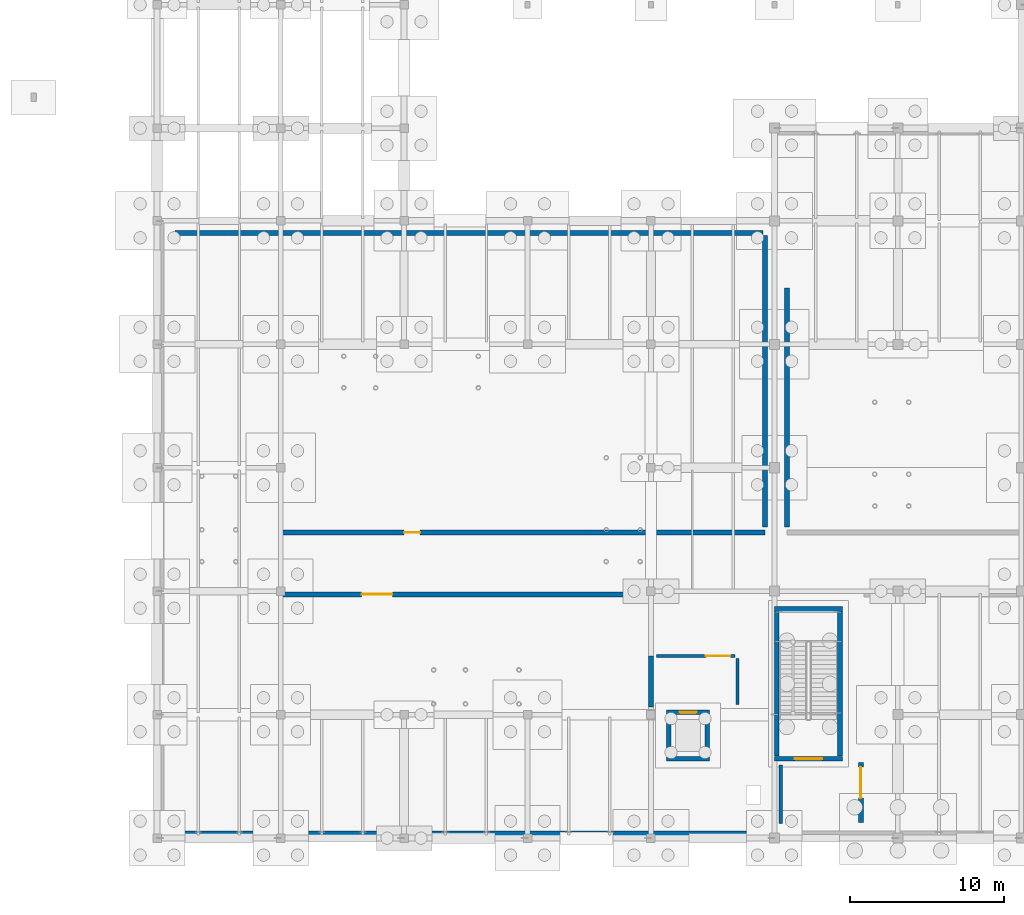
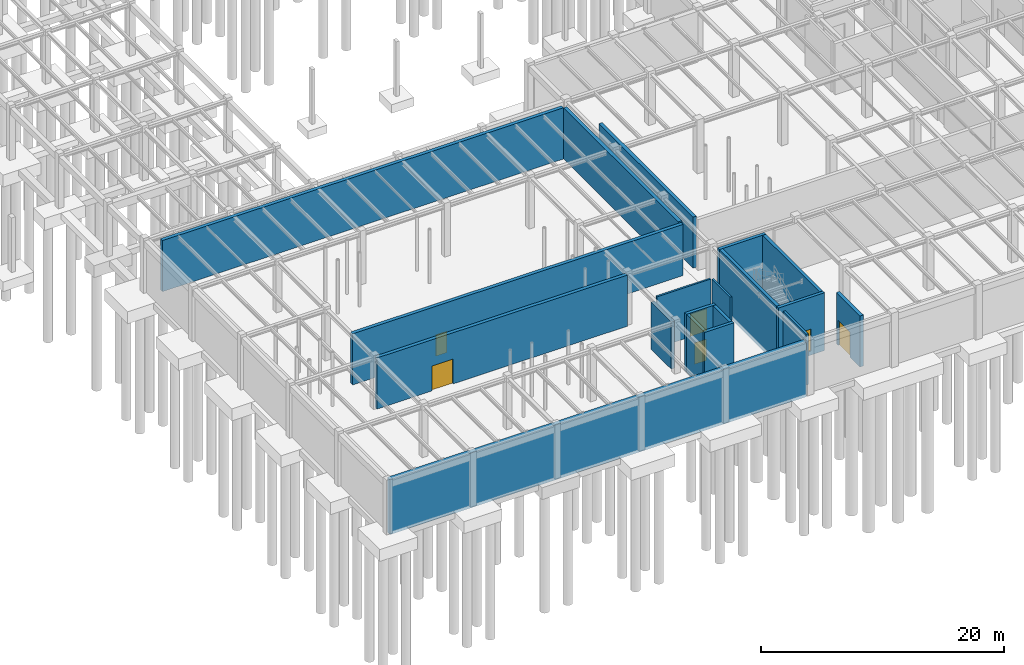
# One storey, part 54 of 71: 19 walls, 6 doors, 6 openings.
"""IFC4 building model written with IfcOpenShell, lengths in metres."""

from ifc_helpers import new_model, si_unit, direction, frame, frame_2d, origin, place, context, subcontext, project, spatial, rectangle, extrude, material, layer, layer_set, type_object, element, fill, save


model = new_model("IFC4")

# Units and contexts
model_context = context("Model", 3, precision=1e-05, world=origin(), true_north=direction((0.0, 1.0)))
body_context = subcontext(model_context, "Body", "Model", "MODEL_VIEW")
ifc_project = project(units=[si_unit("LENGTHUNIT", "METRE"), si_unit("AREAUNIT", "SQUARE_METRE"), si_unit("VOLUMEUNIT", "CUBIC_METRE"), si_unit("PLANEANGLEUNIT", "RADIAN"), si_unit("MASSUNIT", "GRAM", prefix="KILO")], contexts=[model_context])

# Site, building, storey
site_placement = place(None, origin())
site = spatial("IfcSite", under=ifc_project, at=site_placement, CompositionType="ELEMENT")
building_placement = place(site_placement, origin())
building = spatial("IfcBuilding", under=site, at=building_placement, Name="Sundkrona Museum", CompositionType="ELEMENT")
storey_placement = place(building_placement, frame((0.0, 0.0, -5.39990234375)))
storey = spatial("IfcBuildingStorey", under=building, at=storey_placement, Name="B1", CompositionType="ELEMENT", Elevation=-5.39990234375)

# Wall, opening, door
ifc_material_1 = material(Name="Concrete C40/50", Category="concrete")
ifc_layer_1 = layer(ifc_material_1, 0.330078125)
ifc_layer_set_1 = layer_set([ifc_layer_1], Name="Concrete C40/50")
wall_type_1 = type_object("IfcWallType", Name="W-ARC-120", PredefinedType="SOLIDWALL", material=ifc_layer_set_1)
wall_1_placement = place(storey_placement, frame((125.60009765625, 1.0, 0.0), z_axis=(0.0, 0.0, 1.0), x_axis=(0.0, 1.0, 0.0)))
wall_1 = element("IfcWall", 1, at=wall_1_placement, inside=storey, type_object=wall_type_1, Name="B1 Partition Core 2 Stair Lobby / Geological Specimen Archive", PredefinedType="SOLIDWALL", context=body_context, shape_type="SweptSolid", body=[
    extrude(rectangle(XDim=3.89990234375, YDim=0.330078125, at=frame_2d((1.949951171875, 0.0))), origin(), (0.0, 0.0, 1.0), 5.119873046875),
])
opening_1_placement = place(wall_1_placement, frame((1.60009765625, 0.0, 0.0)))
opening_1 = element("IfcOpeningElement", 2, at=opening_1_placement, cuts=wall_1, Name="Opening D-ARC-120", PredefinedType="OPENING", context=body_context, shape_type="SweptSolid", body=[
    extrude(rectangle(XDim=2.0, YDim=2.5, at=frame_2d((1.0, 1.25))), frame((0.0, 0.175048828125, 0.0), z_axis=(0.0, -1.0, 0.0), x_axis=(1.0, 0.0, 0.0)), (0.0, 0.0, 1.0), 0.35009765625),
])
ifc_material_2 = material(Name="Insulated Steel Vault Door", Category="steel")
door_type_1 = type_object("IfcDoorType", Name="D-ARC-120", OperationType="DOUBLE_DOOR_SINGLE_SWING", PredefinedType="DOOR", material=ifc_material_2)
door_1_placement = place(opening_1_placement, origin())
door_1 = element("IfcDoor", 3, at=door_1_placement, inside=storey, type_object=door_type_1, Name="B1 Interior Door DR-ADJ-B1-0008", OperationType="DOUBLE_DOOR_SINGLE_SWING", OverallHeight=2.5, OverallWidth=2.0, PredefinedType="DOOR", context=body_context, shape_type="SweptSolid", body=[
    extrude(rectangle(XDim=2.0, YDim=2.5, at=frame_2d((1.0, 1.25))), frame((0.0, 0.02490234375, 0.0), z_axis=(0.0, -1.0, 0.0), x_axis=(1.0, 0.0, 0.0)), (0.0, 0.0, 1.0), 0.050048828125),
])
fill(opening_1, door_1)

# Wall
wall_2_placement = place(storey_placement, frame((112.0, 8.5, 0.0), z_axis=(0.0, 0.0, 1.0), x_axis=(0.0, 1.0, 0.0)))
element("IfcWall", 4, at=wall_2_placement, inside=storey, type_object=wall_type_1, Name="B1 Partition Atrium Lift Lobby / Natural History Collection Storage", PredefinedType="SOLIDWALL", context=body_context, shape_type="SweptSolid", body=[
    extrude(rectangle(XDim=3.300048828125, YDim=0.330078125, at=frame_2d((1.64990234375, 0.0))), origin(), (0.0, 0.0, 1.0), 4.739990234375),
])

# Wall, opening, door
wall_3_placement = place(storey_placement, frame((88.0, 15.800048828125, 0.0), z_axis=(0.0, 0.0, 1.0), x_axis=(1.0, 0.0, 0.0)))
wall_3 = element("IfcWall", 5, at=wall_3_placement, inside=storey, type_object=wall_type_1, Name="B1 Partition South Basement Corridor / Natural History Collection Storage", PredefinedType="SOLIDWALL", context=body_context, shape_type="SweptSolid", body=[
    extrude(rectangle(XDim=23.800048828125, YDim=0.330078125, at=frame_2d((11.89990234375, 0.0))), origin(), (0.0, 0.0, 1.0), 5.139892578125),
])
opening_2_placement = place(wall_3_placement, frame((5.24658203125, 0.0, 0.0)))
opening_2 = element("IfcOpeningElement", 6, at=opening_2_placement, cuts=wall_3, Name="Opening D-ARC-120", PredefinedType="OPENING", context=body_context, shape_type="SweptSolid", body=[
    extrude(rectangle(XDim=2.0, YDim=2.5, at=frame_2d((1.0, 1.25))), frame((0.0, 0.175048828125, 0.0), z_axis=(0.0, -1.0, 0.0), x_axis=(1.0, 0.0, 0.0)), (0.0, 0.0, 1.0), 0.35009765625),
])
door_2_placement = place(opening_2_placement, origin())
door_2 = element("IfcDoor", 7, at=door_2_placement, inside=storey, type_object=door_type_1, Name="B1 Interior Door DR-ADJ-B1-0021", OperationType="DOUBLE_DOOR_SINGLE_SWING", OverallHeight=2.5, OverallWidth=2.0, PredefinedType="DOOR", context=body_context, shape_type="SweptSolid", body=[
    extrude(rectangle(XDim=2.0, YDim=2.5, at=frame_2d((1.0, 1.25))), frame((0.0, 0.02490234375, 0.0), z_axis=(0.0, -1.0, 0.0), x_axis=(1.0, 0.0, 0.0)), (0.0, 0.0, 1.0), 0.050048828125),
])
fill(opening_2, door_2)

wall_4_placement = place(storey_placement, frame((88.0, 19.800048828125, 0.0), z_axis=(0.0, 0.0, 1.0), x_axis=(1.0, 0.0, 0.0)))
wall_4 = element("IfcWall", 8, at=wall_4_placement, inside=storey, type_object=wall_type_1, Name="B1 Partition South Basement Corridor / ATES Cooling and Heating Plant", PredefinedType="SOLIDWALL", context=body_context, shape_type="SweptSolid", body=[
    extrude(rectangle(XDim=31.39990234375, YDim=0.330078125, at=frame_2d((15.699951171875, 0.0))), origin(), (0.0, 0.0, 1.0), 5.139892578125),
])
opening_3_placement = place(wall_4_placement, frame((8.0, 0.0, 0.0)))
opening_3 = element("IfcOpeningElement", 9, at=opening_3_placement, cuts=wall_4, Name="Opening D-ARC-S120", PredefinedType="OPENING", context=body_context, shape_type="SweptSolid", body=[
    extrude(rectangle(XDim=1.050048828125, YDim=2.14990234375, at=frame_2d((0.52490234375, 1.074951171875))), frame((0.0, 0.175048828125, 0.0), z_axis=(0.0, -1.0, 0.0), x_axis=(1.0, 0.0, 0.0)), (0.0, 0.0, 1.0), 0.35009765625),
])
door_type_2 = type_object("IfcDoorType", Name="D-ARC-S120", OperationType="NOTDEFINED", PredefinedType="DOOR", material=ifc_material_2)
door_3_placement = place(opening_3_placement, origin())
door_3 = element("IfcDoor", 10, at=door_3_placement, inside=storey, type_object=door_type_2, Name="B1 Interior Door DR-ADJ-B1-0022", OperationType="SINGLE_SWING_RIGHT", OverallHeight=2.14990234375, OverallWidth=1.050048828125, PredefinedType="DOOR", context=body_context, shape_type="SweptSolid", body=[
    extrude(rectangle(XDim=1.050048828125, YDim=2.14990234375, at=frame_2d((0.52490234375, 1.074951171875))), frame((0.0, 0.02490234375, 0.0), z_axis=(0.0, -1.0, 0.0), x_axis=(1.0, 0.0, 0.0)), (0.0, 0.0, 1.0), 0.050048828125),
])
fill(opening_3, door_3)

# Walls
wall_5_placement = place(storey_placement, frame((120.800048828125, 20.14990234375, 0.0), z_axis=(0.0, 0.0, 1.0), x_axis=(0.0, 1.0, 0.0)))
element("IfcWall", 11, at=wall_5_placement, inside=storey, type_object=wall_type_1, Name="B1 Electrical Substation Plant Enclosure Wall W", PredefinedType="SOLIDWALL", context=body_context, shape_type="SweptSolid", body=[
    extrude(rectangle(XDim=15.5, YDim=0.330078125, at=frame_2d((7.75, 0.0))), origin(), (0.0, 0.0, 1.0), 5.119873046875),
])
wall_6_placement = place(storey_placement, frame((81.14990234375, 39.199951171875, 0.0), z_axis=(0.0, 0.0, 1.0), x_axis=(1.0, 0.0, 0.0)))
element("IfcWall", 12, at=wall_6_placement, inside=storey, type_object=wall_type_1, Name="B1 ATES Cooling and Heating Plant Enclosure Wall N", PredefinedType="SOLIDWALL", context=body_context, shape_type="SweptSolid", body=[
    extrude(rectangle(XDim=38.10009765625, YDim=0.330078125, at=frame_2d((19.050048828125, 0.0))), origin(), (0.0, 0.0, 1.0), 5.139892578125),
])
wall_7_placement = place(storey_placement, frame((119.39990234375, 20.14990234375, 0.0), z_axis=(0.0, 0.0, 1.0), x_axis=(0.0, 1.0, 0.0)))
element("IfcWall", 13, at=wall_7_placement, inside=storey, type_object=wall_type_1, Name="B1 ATES Cooling and Heating Plant Enclosure Wall E", PredefinedType="SOLIDWALL", context=body_context, shape_type="SweptSolid", body=[
    extrude(rectangle(XDim=18.900146484375, YDim=0.330078125, at=frame_2d((9.4501953125, 0.0))), origin(), (0.0, 0.0, 1.0), 5.139892578125),
])

# Wall, opening, door
ifc_layer_2 = layer(ifc_material_1, 0.300048828125)
ifc_layer_set_2 = layer_set([ifc_layer_2], Name="Concrete C40/50")
wall_type_2 = type_object("IfcWallType", Name="W-CORE-300", PredefinedType="SHEAR", material=ifc_layer_set_2)
wall_8_placement = place(storey_placement, frame((120.0, 5.14990234375, -0.400146484375), z_axis=(0.0, 0.0, 1.0), x_axis=(1.0, 0.0, 0.0)))
wall_8 = element("IfcWall", 14, at=wall_8_placement, inside=storey, type_object=wall_type_2, Name="B1 ST-2 Core Shear Wall South", PredefinedType="SHEAR", context=body_context, shape_type="SweptSolid", body=[
    extrude(rectangle(XDim=4.39990234375, YDim=0.300048828125, at=frame_2d((2.199951171875, 0.0))), origin(), (0.0, 0.0, 1.0), 5.800048828125),
])
opening_4_placement = place(wall_8_placement, frame((1.300048828125, 0.0, 0.39990234375)))
opening_4 = element("IfcOpeningElement", 15, at=opening_4_placement, cuts=wall_8, Name="Opening D-FD60", PredefinedType="OPENING", context=body_context, shape_type="SweptSolid", body=[
    extrude(rectangle(XDim=1.800048828125, YDim=2.199951171875, at=frame_2d((0.89990234375, 1.10009765625))), frame((0.0, 0.159912109375, 0.0), z_axis=(0.0, -1.0, 0.0), x_axis=(1.0, 0.0, 0.0)), (0.0, 0.0, 1.0), 0.320068359375),
])
ifc_material_3 = material(Name="Steel S355J2 Fire Door Leaf", Category="steel")
door_type_3 = type_object("IfcDoorType", Name="D-FD60", OperationType="DOUBLE_DOOR_SINGLE_SWING", PredefinedType="DOOR", material=ifc_material_3)
door_4_placement = place(opening_4_placement, origin())
door_4 = element("IfcDoor", 16, at=door_4_placement, inside=storey, type_object=door_type_3, Name="B1 ST-2 Protected Escape Stair Door DR-ST-2-B1", OperationType="DOUBLE_DOOR_SINGLE_SWING", OverallHeight=2.199951171875, OverallWidth=1.800048828125, PredefinedType="DOOR", context=body_context, shape_type="SweptSolid", body=[
    extrude(rectangle(XDim=1.800048828125, YDim=2.199951171875, at=frame_2d((0.89990234375, 1.10009765625))), frame((0.0, 0.02490234375, 0.0), z_axis=(0.0, -1.0, 0.0), x_axis=(1.0, 0.0, 0.0)), (0.0, 0.0, 1.0), 0.050048828125),
])
fill(opening_4, door_4)

# Walls
wall_9_placement = place(storey_placement, frame((120.0, 14.85009765625, -0.400146484375), z_axis=(0.0, 0.0, 1.0), x_axis=(1.0, 0.0, 0.0)))
element("IfcWall", 17, at=wall_9_placement, inside=storey, type_object=wall_type_2, Name="B1 ST-2 Core Shear Wall North", PredefinedType="SHEAR", context=body_context, shape_type="SweptSolid", body=[
    extrude(rectangle(XDim=4.39990234375, YDim=0.300048828125, at=frame_2d((2.199951171875, 0.0))), origin(), (0.0, 0.0, 1.0), 5.800048828125),
])
for number, where, z_axis, x_axis, name in (
    (18, (120.14990234375, 5.31005859375, -0.400146484375), (0.0, 0.0, 1.0), (0.0, 1.0, 0.0), "B1 ST-2 Core Shear Wall West"),
    (19, (124.25, 5.31005859375, -0.400146484375), (0.0, 0.0, 1.0), (0.0, 1.0, 0.0), "B1 ST-2 Core Shear Wall East"),
):
    element("IfcWall", number, at=place(storey_placement, frame(where, z_axis=z_axis, x_axis=x_axis)), inside=storey, type_object=wall_type_2, Name=name, PredefinedType="SHEAR", context=body_context, shape_type="SweptSolid", body=[
        extrude(rectangle(XDim=9.3798828125, YDim=0.300048828125, at=frame_2d((4.68994140625, 0.0))), origin(), (0.0, 0.0, 1.0), 5.800048828125),
    ])
wall_10_placement = place(storey_placement, frame((113.0, 5.14990234375, -0.400146484375), z_axis=(0.0, 0.0, 1.0), x_axis=(1.0, 0.0, 0.0)))
element("IfcWall", 20, at=wall_10_placement, inside=storey, type_object=wall_type_2, Name="B1 PL-2 Lift Shaft Wall South", PredefinedType="SHEAR", context=body_context, shape_type="SweptSolid", body=[
    extrude(rectangle(XDim=2.800048828125, YDim=0.300048828125, at=frame_2d((1.39990234375, 0.0))), origin(), (0.0, 0.0, 1.0), 5.800048828125),
])

# Wall, opening, door
wall_11_placement = place(storey_placement, frame((113.0, 8.14990234375, -0.400146484375), z_axis=(0.0, 0.0, 1.0), x_axis=(1.0, 0.0, 0.0)))
wall_11 = element("IfcWall", 21, at=wall_11_placement, inside=storey, type_object=wall_type_2, Name="B1 PL-2 Lift Shaft Wall North", PredefinedType="SHEAR", context=body_context, shape_type="SweptSolid", body=[
    extrude(rectangle(XDim=2.800048828125, YDim=0.300048828125, at=frame_2d((1.39990234375, 0.0))), origin(), (0.0, 0.0, 1.0), 5.800048828125),
])
opening_5_placement = place(wall_11_placement, frame((0.85009765625, 0.0, 0.39990234375)))
opening_5 = element("IfcOpeningElement", 22, at=opening_5_placement, cuts=wall_11, Name="Opening LD-01", PredefinedType="OPENING", context=body_context, shape_type="SweptSolid", body=[
    extrude(rectangle(XDim=1.10009765625, YDim=2.14990234375, at=frame_2d((0.550048828125, 1.074951171875))), frame((0.0, 0.159912109375, 0.0), z_axis=(0.0, -1.0, 0.0), x_axis=(1.0, 0.0, 0.0)), (0.0, 0.0, 1.0), 0.320068359375),
])
ifc_material_4 = material(Name="Brushed Stainless Steel Lift Door", Category="steel")
door_type_4 = type_object("IfcDoorType", Name="LD-01", OperationType="SLIDING_TO_LEFT", PredefinedType="DOOR", material=ifc_material_4)
door_5_placement = place(opening_5_placement, origin())
door_5 = element("IfcDoor", 23, at=door_5_placement, inside=storey, type_object=door_type_4, Name="B1 Public Gallery Passenger Lift PL-2 Landing Door DR-LIFT-PL-2-B1", OperationType="SLIDING_TO_LEFT", OverallHeight=2.14990234375, OverallWidth=1.10009765625, PredefinedType="DOOR", context=body_context, shape_type="SweptSolid", body=[
    extrude(rectangle(XDim=1.10009765625, YDim=2.14990234375, at=frame_2d((0.550048828125, 1.074951171875))), frame((0.0, 0.02490234375, 0.0), z_axis=(0.0, -1.0, 0.0), x_axis=(1.0, 0.0, 0.0)), (0.0, 0.0, 1.0), 0.050048828125),
])
fill(opening_5, door_5)

# Walls
for number, where, z_axis, x_axis, name in (
    (24, (113.14990234375, 5.31005859375, -0.400146484375), (0.0, 0.0, 1.0), (0.0, 1.0, 0.0), "B1 PL-2 Lift Shaft Wall West"),
    (25, (115.64990234375, 5.31005859375, -0.400146484375), (0.0, 0.0, 1.0), (0.0, 1.0, 0.0), "B1 PL-2 Lift Shaft Wall East"),
):
    element("IfcWall", number, at=place(storey_placement, frame(where, z_axis=z_axis, x_axis=x_axis)), inside=storey, type_object=wall_type_2, Name=name, PredefinedType="SHEAR", context=body_context, shape_type="SweptSolid", body=[
        extrude(rectangle(XDim=2.679931640625, YDim=0.300048828125, at=frame_2d((1.33984375, 0.0))), origin(), (0.0, 0.0, 1.0), 5.800048828125),
    ])
ifc_material_5 = material(Name="Autoclaved Aerated Masonry 225 mm", Category="masonry")
ifc_layer_3 = layer(ifc_material_5, 0.22509765625)
ifc_layer_set_3 = layer_set([ifc_layer_3], Name="Autoclaved Aerated Masonry 225 mm")
wall_type_3 = type_object("IfcWallType", Name="W-FF-225", PredefinedType="SOLIDWALL", material=ifc_layer_set_3)
wall_12_placement = place(storey_placement, frame((120.39990234375, 0.949951171875, 0.0), z_axis=(0.0, 0.0, 1.0), x_axis=(0.0, 1.0, 0.0)))
element("IfcWall", 26, at=wall_12_placement, inside=storey, type_object=wall_type_3, Name="B1 Core 2 Stair Lobby Enclosure Wall W", PredefinedType="SOLIDWALL", context=body_context, shape_type="SweptSolid", body=[
    extrude(rectangle(XDim=3.800048828125, YDim=0.22509765625, at=frame_2d((1.89990234375, 0.0))), origin(), (0.0, 0.0, 1.0), 5.119873046875),
])

# Wall, opening, door
ifc_material_6 = material(Name="Fire-rated Gypsum Partition Board 175 mm", Category="other")
ifc_layer_4 = layer(ifc_material_6, 0.175048828125)
ifc_layer_set_4 = layer_set([ifc_layer_4], Name="Fire-rated Gypsum Partition Board 175 mm")
wall_type_4 = type_object("IfcWallType", Name="W-PT-175", PredefinedType="PARTITIONING", material=ifc_layer_set_4)
wall_13_placement = place(storey_placement, frame((112.35009765625, 11.800048828125, 0.0), z_axis=(0.0, 0.0, 1.0), x_axis=(1.0, 0.0, 0.0)))
wall_13 = element("IfcWall", 27, at=wall_13_placement, inside=storey, type_object=wall_type_4, Name="B1 Atrium Lift Lobby Enclosure Wall N", PredefinedType="PARTITIONING", context=body_context, shape_type="SweptSolid", body=[
    extrude(rectangle(XDim=5.099853515625, YDim=0.175048828125, at=frame_2d((2.5498046875, 0.0))), origin(), (0.0, 0.0, 1.0), 5.139892578125),
])
opening_6_placement = place(wall_13_placement, frame((3.199951171875, 0.0, 0.0)))
opening_6 = element("IfcOpeningElement", 28, at=opening_6_placement, cuts=wall_13, Name="Opening D-CMP-160", PredefinedType="OPENING", context=body_context, shape_type="SweptSolid", body=[
    extrude(rectangle(XDim=1.60009765625, YDim=2.25, at=frame_2d((0.800048828125, 1.125))), frame((0.0, 0.097412109375, 0.0), z_axis=(0.0, -1.0, 0.0), x_axis=(1.0, 0.0, 0.0)), (0.0, 0.0, 1.0), 0.195068359375),
])
ifc_material_7 = material(Name="Glazed Steel Fire Screen Door", Category="steel")
door_type_5 = type_object("IfcDoorType", Name="D-CMP-160", OperationType="DOUBLE_DOOR_SINGLE_SWING", PredefinedType="DOOR", material=ifc_material_7)
door_6_placement = place(opening_6_placement, origin())
door_6 = element("IfcDoor", 29, at=door_6_placement, inside=storey, type_object=door_type_5, Name="B1 Interior Door DR-INT-B1-0023", OperationType="DOUBLE_DOOR_SINGLE_SWING", OverallHeight=2.25, OverallWidth=1.60009765625, PredefinedType="DOOR", context=body_context, shape_type="SweptSolid", body=[
    extrude(rectangle(XDim=1.60009765625, YDim=2.25, at=frame_2d((0.800048828125, 1.125))), frame((0.0, 0.02490234375, 0.0), z_axis=(0.0, -1.0, 0.0), x_axis=(1.0, 0.0, 0.0)), (0.0, 0.0, 1.0), 0.050048828125),
])
fill(opening_6, door_6)

# Walls
wall_14_placement = place(storey_placement, frame((117.60009765625, 8.64990234375, 0.0), z_axis=(0.0, 0.0, 1.0), x_axis=(0.0, 1.0, 0.0)))
element("IfcWall", 30, at=wall_14_placement, inside=storey, type_object=wall_type_4, Name="B1 Atrium Lift Lobby Enclosure Wall E", PredefinedType="PARTITIONING", context=body_context, shape_type="SweptSolid", body=[
    extrude(rectangle(XDim=3.0, YDim=0.175048828125, at=frame_2d((1.5, 0.0))), origin(), (0.0, 0.0, 1.0), 5.139892578125),
])
ifc_layer_5 = layer(ifc_material_1, 0.449951171875)
ifc_layer_set_5 = layer_set([ifc_layer_5], Name="Concrete C40/50")
wall_type_5 = type_object("IfcWallType", Name="W-RET-450", PredefinedType="USERDEFINED", material=ifc_layer_set_5)
wall_15_placement = place(storey_placement, frame((80.22509765625, 0.22509765625, -0.400146484375), z_axis=(0.0, 0.0, 1.0), x_axis=(1.0, 0.0, 0.0)))
element("IfcWall", 31, at=wall_15_placement, inside=storey, type_object=wall_type_5, Name="Basement Retaining Wall 15", ObjectType="RETAININGWALL", PredefinedType="USERDEFINED", context=body_context, shape_type="SweptSolid", body=[
    extrude(rectangle(XDim=39.5498046875, YDim=0.449951171875, at=frame_2d((19.77490234375, 0.0))), origin(), (0.0, 0.0, 1.0), 5.5),
])

save(model, "model.ifc")
